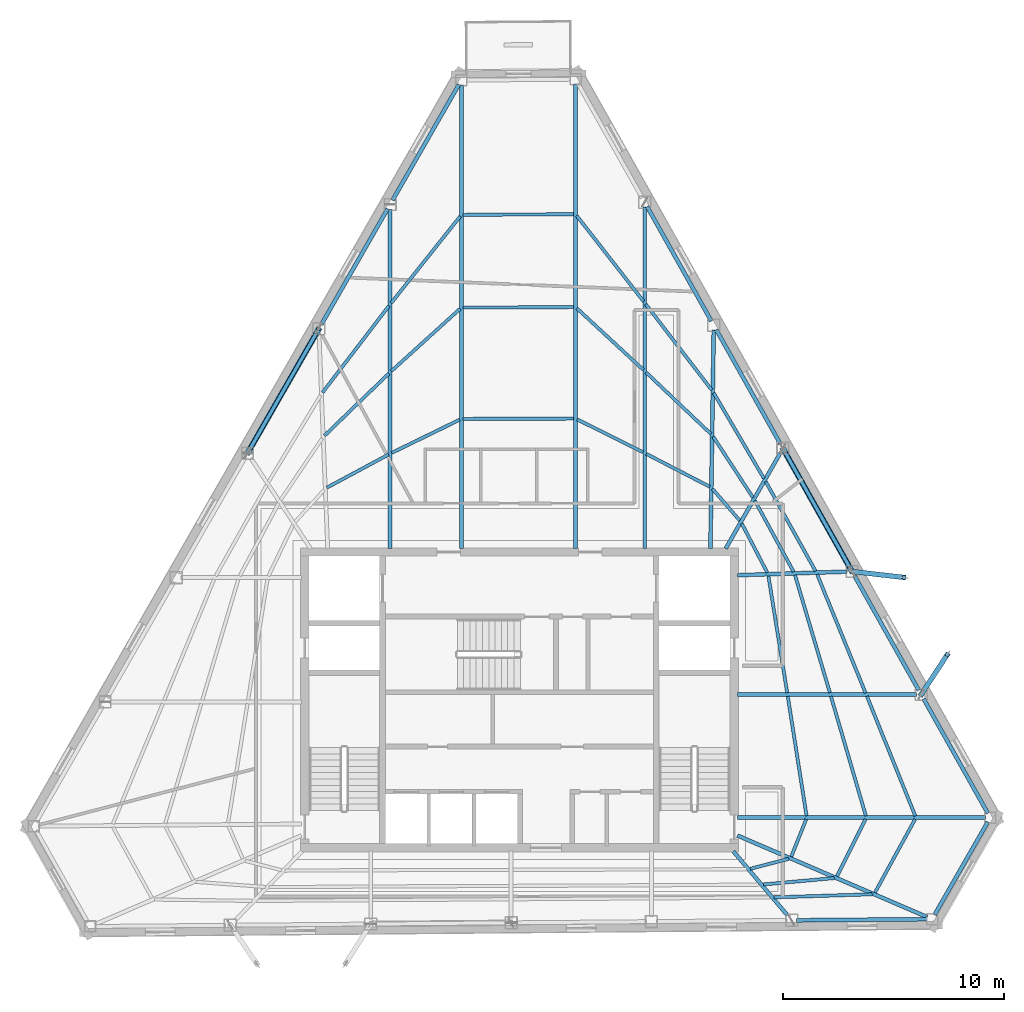
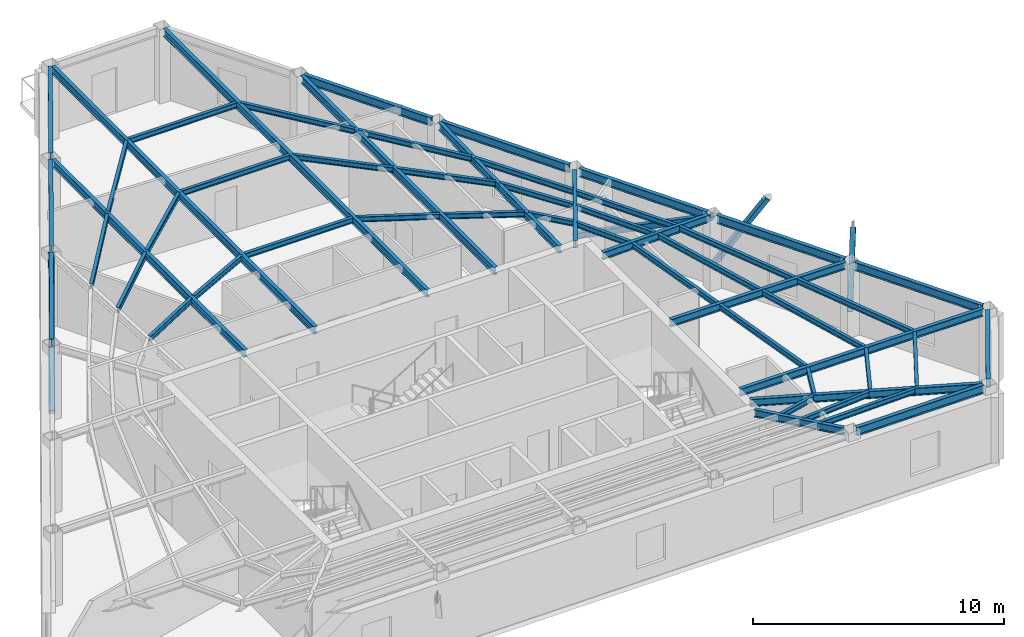
# One storey, part 2 of 11: 54 beams, 4 members.
"""IFC4 building model written with IfcOpenShell, lengths in metres."""

from ifc_helpers import new_model, si_unit, direction, frame, origin, origin_2d, place, context, subcontext, project, spatial, hollow_rectangle, i_section, extrude, material, material_profile, profile_set, type_object, element, save


model = new_model("IFC4")

# Units and contexts
model_context = context("Model", 3, precision=1e-05, world=origin(), true_north=direction((0.0, 1.0)))
body_context = subcontext(model_context, "Body", "Model", "MODEL_VIEW")
ifc_project = project(units=[si_unit("LENGTHUNIT", "METRE"), si_unit("AREAUNIT", "SQUARE_METRE"), si_unit("VOLUMEUNIT", "CUBIC_METRE"), si_unit("PLANEANGLEUNIT", "RADIAN"), si_unit("MASSUNIT", "GRAM", prefix="KILO")], contexts=[model_context])

# Site, building, storey
site_placement = place(None, origin())
site = spatial("IfcSite", under=ifc_project, at=site_placement, CompositionType="ELEMENT")
building_placement = place(site_placement, origin())
building = spatial("IfcBuilding", under=site, at=building_placement, Name="Kavelnor Concourse Tower", CompositionType="ELEMENT")
storey_placement = place(building_placement, frame((0.0, 0.0, 297.25)))
storey = spatial("IfcBuildingStorey", under=building, at=storey_placement, Name="L75", CompositionType="ELEMENT", Elevation=297.25)

# Beams
ifc_material = material(Name="Steel Grade 350", Category="steel")
ifc_material_profile_1 = material_profile(ifc_material, i_section(OverallWidth=0.14599609375, OverallDepth=0.256103515625, WebThickness=0.00634765625, FlangeThickness=0.010986328125, at=origin_2d()), Name="250UB37")
ifc_profile_set_1 = profile_set([ifc_material_profile_1], Name="Steel Grade 350")
beam_type_1 = type_object("IfcBeamType", Name="BM-JOIST-250", PredefinedType="JOIST", material=ifc_profile_set_1)
beam_1_placement = place(storey_placement, frame((48.44189453125, 8.46142578125, 3.48193359375), z_axis=(0.968010305552, 0.250910438892, 0.0), x_axis=(-0.250910438892, 0.968010305552, 0.0)))
element("IfcBeam", 1, at=beam_1_placement, inside=storey, type_object=beam_type_1, Name="L75 Secondary Composite Joist 08-1", PredefinedType="JOIST", context=body_context, shape_type="SweptSolid", body=[
    extrude(i_section(OverallWidth=0.14599609375, OverallDepth=0.256103515625, WebThickness=0.00634765625, FlangeThickness=0.010986328125, at=origin_2d()), origin(), (0.0, 0.0, 1.0), 1.802001953125),
])
beam_2_placement = place(storey_placement, frame((49.031494140625, 7.754150390625, 3.48193359375), z_axis=(0.996001094273, 0.089341033162, 0.0), x_axis=(-0.089341033162, 0.996001094273, 0.0)))
element("IfcBeam", 2, at=beam_2_placement, inside=storey, type_object=beam_type_1, Name="L75 Secondary Composite Joist 08-2", PredefinedType="JOIST", context=body_context, shape_type="SweptSolid", body=[
    extrude(i_section(OverallWidth=0.14599609375, OverallDepth=0.256103515625, WebThickness=0.00634765625, FlangeThickness=0.010986328125, at=origin_2d()), origin(), (0.0, 0.0, 1.0), 3.224609375),
])
beam_3_placement = place(storey_placement, frame((49.521240234375, 7.1708984375, 3.48193359375), z_axis=(0.999510411629, 0.031287969644, 0.0), x_axis=(-0.031287969644, 0.999510411629, 0.0)))
element("IfcBeam", 3, at=beam_3_placement, inside=storey, type_object=beam_type_1, Name="L75 Secondary Composite Joist 08-3", PredefinedType="JOIST", context=body_context, shape_type="SweptSolid", body=[
    extrude(i_section(OverallWidth=0.14599609375, OverallDepth=0.256103515625, WebThickness=0.00634765625, FlangeThickness=0.010986328125, at=origin_2d()), origin(), (0.0, 0.0, 1.0), 4.43994140625),
])
beam_4_placement = place(storey_placement, frame((50.296142578125, 9.01025390625, 3.48193359375), z_axis=(0.37060454133, 0.928790758969, 0.0), x_axis=(-0.928790758969, 0.37060454133, 0.0)))
element("IfcBeam", 4, at=beam_4_placement, inside=storey, type_object=beam_type_1, Name="L75 Secondary Composite Joist 09-1", PredefinedType="JOIST", context=body_context, shape_type="SweptSolid", body=[
    extrude(i_section(OverallWidth=0.14599609375, OverallDepth=0.256103515625, WebThickness=0.00634765625, FlangeThickness=0.010986328125, at=origin_2d()), origin(), (0.0, 0.0, 1.0), 1.82080078125),
])
beam_5_placement = place(storey_placement, frame((52.36181640625, 8.122802734375, 3.48193359375), z_axis=(0.448497937851, 0.893783866348, 0.0), x_axis=(-0.893783866348, 0.448497937851, 0.0)))
element("IfcBeam", 5, at=beam_5_placement, inside=storey, type_object=beam_type_1, Name="L75 Secondary Composite Joist 09-2", PredefinedType="JOIST", context=body_context, shape_type="SweptSolid", body=[
    extrude(i_section(OverallWidth=0.14599609375, OverallDepth=0.256103515625, WebThickness=0.00634765625, FlangeThickness=0.010986328125, at=origin_2d()), origin(), (0.0, 0.0, 1.0), 2.888427734375),
])
beam_6_placement = place(storey_placement, frame((54.080322265625, 7.38427734375, 3.48193359375), z_axis=(0.480148097352, 0.877187439838, 0.0), x_axis=(-0.877187439838, 0.480148097352, 0.0)))
element("IfcBeam", 6, at=beam_6_placement, inside=storey, type_object=beam_type_1, Name="L75 Secondary Composite Joist 09-3", PredefinedType="JOIST", context=body_context, shape_type="SweptSolid", body=[
    extrude(i_section(OverallWidth=0.14599609375, OverallDepth=0.256103515625, WebThickness=0.00634765625, FlangeThickness=0.010986328125, at=origin_2d()), origin(), (0.0, 0.0, 1.0), 3.78662109375),
])
beam_7_placement = place(storey_placement, frame((50.98876953125, 10.858642578125, 3.48193359375), z_axis=(-0.155389638858, 0.987853258402, 0.0), x_axis=(-0.987853258402, -0.155389638858, 0.0)))
element("IfcBeam", 7, at=beam_7_placement, inside=storey, type_object=beam_type_1, Name="L75 Secondary Composite Joist 10-1", PredefinedType="JOIST", context=body_context, shape_type="SweptSolid", body=[
    extrude(i_section(OverallWidth=0.14599609375, OverallDepth=0.256103515625, WebThickness=0.00634765625, FlangeThickness=0.010986328125, at=origin_2d()), origin(), (0.0, 0.0, 1.0), 5.470703125),
])
beam_8_placement = place(storey_placement, frame((53.6708984375, 10.856201171875, 3.48193359375), z_axis=(-0.280324415111, 0.959905319442, 0.0), x_axis=(-0.959905319442, -0.280324415111, 0.0)))
element("IfcBeam", 8, at=beam_8_placement, inside=storey, type_object=beam_type_1, Name="L75 Secondary Composite Joist 10-2", PredefinedType="JOIST", context=body_context, shape_type="SweptSolid", body=[
    extrude(i_section(OverallWidth=0.14599609375, OverallDepth=0.256103515625, WebThickness=0.00634765625, FlangeThickness=0.010986328125, at=origin_2d()), origin(), (0.0, 0.0, 1.0), 5.634765625),
])
beam_9_placement = place(storey_placement, frame((55.9072265625, 10.853515625, 3.48193359375), z_axis=(-0.374926778099, 0.927054427239, 0.0), x_axis=(-0.927054427239, -0.374926778099, 0.0)))
element("IfcBeam", 9, at=beam_9_placement, inside=storey, type_object=beam_type_1, Name="L75 Secondary Composite Joist 10-3", PredefinedType="JOIST", context=body_context, shape_type="SweptSolid", body=[
    extrude(i_section(OverallWidth=0.14599609375, OverallDepth=0.256103515625, WebThickness=0.00634765625, FlangeThickness=0.010986328125, at=origin_2d()), origin(), (0.0, 0.0, 1.0), 5.84033203125),
])
beam_10_placement = place(storey_placement, frame((50.11279296875, 16.4248046875, 3.48193359375), z_axis=(-0.158814772891, 0.987308395544, 0.0), x_axis=(-0.987308395544, -0.158814772891, 0.0)))
element("IfcBeam", 10, at=beam_10_placement, inside=storey, type_object=beam_type_1, Name="L75 Secondary Composite Joist 11-1", PredefinedType="JOIST", context=body_context, shape_type="SweptSolid", body=[
    extrude(i_section(OverallWidth=0.14599609375, OverallDepth=0.256103515625, WebThickness=0.00634765625, FlangeThickness=0.010986328125, at=origin_2d()), origin(), (0.0, 0.0, 1.0), 5.34814453125),
])
beam_11_placement = place(storey_placement, frame((52.044921875, 16.422607421875, 3.48193359375), z_axis=(-0.284410151434, 0.958702699361, 0.0), x_axis=(-0.958702699361, -0.284410151434, 0.0)))
element("IfcBeam", 11, at=beam_11_placement, inside=storey, type_object=beam_type_1, Name="L75 Secondary Composite Joist 11-2", PredefinedType="JOIST", context=body_context, shape_type="SweptSolid", body=[
    extrude(i_section(OverallWidth=0.14599609375, OverallDepth=0.256103515625, WebThickness=0.00634765625, FlangeThickness=0.010986328125, at=origin_2d()), origin(), (0.0, 0.0, 1.0), 5.552978515625),
])
beam_12_placement = place(storey_placement, frame((53.65576171875, 16.419921875, 3.48193359375), z_axis=(-0.378017202684, 0.925798571221, 0.0), x_axis=(-0.925798571221, -0.378017202684, 0.0)))
element("IfcBeam", 12, at=beam_12_placement, inside=storey, type_object=beam_type_1, Name="L75 Secondary Composite Joist 11-3", PredefinedType="JOIST", context=body_context, shape_type="SweptSolid", body=[
    extrude(i_section(OverallWidth=0.14599609375, OverallDepth=0.256103515625, WebThickness=0.00634765625, FlangeThickness=0.010986328125, at=origin_2d()), origin(), (0.0, 0.0, 1.0), 5.791259765625),
])
beam_13_placement = place(storey_placement, frame((49.212646484375, 21.85888671875, 3.48193359375), z_axis=(-0.461598536422, 0.887088942087, 0.0), x_axis=(-0.887088942087, -0.461598536422, 0.0)))
element("IfcBeam", 13, at=beam_13_placement, inside=storey, type_object=beam_type_1, Name="L75 Secondary Composite Joist 12-1", PredefinedType="JOIST", context=body_context, shape_type="SweptSolid", body=[
    extrude(i_section(OverallWidth=0.14599609375, OverallDepth=0.256103515625, WebThickness=0.00634765625, FlangeThickness=0.010986328125, at=origin_2d()), origin(), (0.0, 0.0, 1.0), 2.501708984375),
])
beam_14_placement = place(storey_placement, frame((50.403076171875, 21.89697265625, 3.48193359375), z_axis=(-0.478819437183, 0.877913404942, 0.0), x_axis=(-0.877913404942, -0.478819437183, 0.0)))
element("IfcBeam", 14, at=beam_14_placement, inside=storey, type_object=beam_type_1, Name="L75 Secondary Composite Joist 12-2", PredefinedType="JOIST", context=body_context, shape_type="SweptSolid", body=[
    extrude(i_section(OverallWidth=0.14599609375, OverallDepth=0.256103515625, WebThickness=0.00634765625, FlangeThickness=0.010986328125, at=origin_2d()), origin(), (0.0, 0.0, 1.0), 3.662353515625),
])
beam_15_placement = place(storey_placement, frame((51.3955078125, 21.92919921875, 3.48193359375), z_axis=(-0.486694685221, 0.873572139767, 0.0), x_axis=(-0.873572139767, -0.486694685221, 0.0)))
element("IfcBeam", 15, at=beam_15_placement, inside=storey, type_object=beam_type_1, Name="L75 Secondary Composite Joist 12-3", PredefinedType="JOIST", context=body_context, shape_type="SweptSolid", body=[
    extrude(i_section(OverallWidth=0.14599609375, OverallDepth=0.256103515625, WebThickness=0.00634765625, FlangeThickness=0.010986328125, at=origin_2d()), origin(), (0.0, 0.0, 1.0), 4.630126953125),
])
beam_16_placement = place(storey_placement, frame((47.966552734375, 24.213134765625, 3.48193359375), z_axis=(-0.652195282217, 0.758050996869, 0.0), x_axis=(-0.758050996869, -0.652195282217, 0.0)))
element("IfcBeam", 16, at=beam_16_placement, inside=storey, type_object=beam_type_1, Name="L75 Secondary Composite Joist 13-1", PredefinedType="JOIST", context=body_context, shape_type="SweptSolid", body=[
    extrude(i_section(OverallWidth=0.14599609375, OverallDepth=0.256103515625, WebThickness=0.00634765625, FlangeThickness=0.010986328125, at=origin_2d()), origin(), (0.0, 0.0, 1.0), 1.888916015625),
])
beam_17_placement = place(storey_placement, frame((48.565185546875, 25.2529296875, 3.48193359375), z_axis=(-0.54729128744, 0.836942200329, 0.0), x_axis=(-0.836942200329, -0.54729128744, 0.0)))
element("IfcBeam", 17, at=beam_17_placement, inside=storey, type_object=beam_type_1, Name="L75 Secondary Composite Joist 13-2", PredefinedType="JOIST", context=body_context, shape_type="SweptSolid", body=[
    extrude(i_section(OverallWidth=0.14599609375, OverallDepth=0.256103515625, WebThickness=0.00634765625, FlangeThickness=0.010986328125, at=origin_2d()), origin(), (0.0, 0.0, 1.0), 3.294921875),
])
beam_18_placement = place(storey_placement, frame((49.060546875, 26.1162109375, 3.48193359375), z_axis=(-0.506342216052, 0.86233262738, 0.0), x_axis=(-0.86233262738, -0.506342216052, 0.0)))
element("IfcBeam", 18, at=beam_18_placement, inside=storey, type_object=beam_type_1, Name="L75 Secondary Composite Joist 13-3", PredefinedType="JOIST", context=body_context, shape_type="SweptSolid", body=[
    extrude(i_section(OverallWidth=0.14599609375, OverallDepth=0.256103515625, WebThickness=0.00634765625, FlangeThickness=0.010986328125, at=origin_2d()), origin(), (0.0, 0.0, 1.0), 4.486572265625),
])
beam_19_placement = place(storey_placement, frame((46.608154296875, 25.744873046875, 3.48193359375), z_axis=(-0.888345237581, 0.459176152328, 0.0), x_axis=(-0.459176152328, -0.888345237581, 0.0)))
element("IfcBeam", 19, at=beam_19_placement, inside=storey, type_object=beam_type_1, Name="L75 Secondary Composite Joist 14-1", PredefinedType="JOIST", context=body_context, shape_type="SweptSolid", body=[
    extrude(i_section(OverallWidth=0.14599609375, OverallDepth=0.256103515625, WebThickness=0.00634765625, FlangeThickness=0.010986328125, at=origin_2d()), origin(), (0.0, 0.0, 1.0), 3.22998046875),
])
beam_20_placement = place(storey_placement, frame((46.65771484375, 28.135498046875, 3.48193359375), z_axis=(-0.725496953273, 0.688225377905, 0.0), x_axis=(-0.688225377905, -0.725496953273, 0.0)))
element("IfcBeam", 20, at=beam_20_placement, inside=storey, type_object=beam_type_1, Name="L75 Secondary Composite Joist 14-2", PredefinedType="JOIST", context=body_context, shape_type="SweptSolid", body=[
    extrude(i_section(OverallWidth=0.14599609375, OverallDepth=0.256103515625, WebThickness=0.00634765625, FlangeThickness=0.010986328125, at=origin_2d()), origin(), (0.0, 0.0, 1.0), 4.04150390625),
])
beam_21_placement = place(storey_placement, frame((46.697265625, 30.12060546875, 3.48193359375), z_axis=(-0.609500877661, 0.792785393489, 0.0), x_axis=(-0.792785393489, -0.609500877661, 0.0)))
element("IfcBeam", 21, at=beam_21_placement, inside=storey, type_object=beam_type_1, Name="L75 Secondary Composite Joist 14-3", PredefinedType="JOIST", context=body_context, shape_type="SweptSolid", body=[
    extrude(i_section(OverallWidth=0.14599609375, OverallDepth=0.256103515625, WebThickness=0.00634765625, FlangeThickness=0.010986328125, at=origin_2d()), origin(), (0.0, 0.0, 1.0), 4.89111328125),
])
beam_22_placement = place(storey_placement, frame((43.592529296875, 27.302490234375, 3.48193359375), z_axis=(-0.894969160359, 0.446128010784, 0.0), x_axis=(-0.446128010784, -0.894969160359, 0.0)))
element("IfcBeam", 22, at=beam_22_placement, inside=storey, type_object=beam_type_1, Name="L75 Secondary Composite Joist 15-1", PredefinedType="JOIST", context=body_context, shape_type="SweptSolid", body=[
    extrude(i_section(OverallWidth=0.14599609375, OverallDepth=0.256103515625, WebThickness=0.00634765625, FlangeThickness=0.010986328125, at=origin_2d()), origin(), (0.0, 0.0, 1.0), 3.329345703125),
])
beam_23_placement = place(storey_placement, frame((43.605712890625, 31.029296875, 3.48193359375), z_axis=(-0.733788181998, 0.679378321674, 0.0), x_axis=(-0.679378321674, -0.733788181998, 0.0)))
element("IfcBeam", 23, at=beam_23_placement, inside=storey, type_object=beam_type_1, Name="L75 Secondary Composite Joist 15-2", PredefinedType="JOIST", context=body_context, shape_type="SweptSolid", body=[
    extrude(i_section(OverallWidth=0.14599609375, OverallDepth=0.256103515625, WebThickness=0.00634765625, FlangeThickness=0.010986328125, at=origin_2d()), origin(), (0.0, 0.0, 1.0), 4.0966796875),
])
beam_24_placement = place(storey_placement, frame((43.615478515625, 34.128173828125, 3.48193359375), z_axis=(-0.61509104447, 0.788456090732, 0.0), x_axis=(-0.788456090732, -0.61509104447, 0.0)))
element("IfcBeam", 24, at=beam_24_placement, inside=storey, type_object=beam_type_1, Name="L75 Secondary Composite Joist 15-3", PredefinedType="JOIST", context=body_context, shape_type="SweptSolid", body=[
    extrude(i_section(OverallWidth=0.14599609375, OverallDepth=0.256103515625, WebThickness=0.00634765625, FlangeThickness=0.010986328125, at=origin_2d()), origin(), (0.0, 0.0, 1.0), 4.9189453125),
])
for number, where, z_axis, x_axis, name in (
    (25, (40.45751953125, 28.82421875, 3.48193359375), (-0.999997021236, -0.002440803078, 0.0), (0.002440803078, -0.999997021236, 0.0), "L75 Secondary Composite Joist 16-1"),
    (26, (40.45751953125, 33.86767578125, 3.48193359375), (-0.999989915203, -0.00449104575, 0.0), (0.00449104575, -0.999989915203, 0.0), "L75 Secondary Composite Joist 16-2"),
    (27, (40.45751953125, 38.070556640625, 3.48193359375), (-0.999980478855, -0.006248352516, 0.0), (0.006248352516, -0.999980478855, 0.0), "L75 Secondary Composite Joist 16-3"),
):
    element("IfcBeam", number, at=place(storey_placement, frame(where, z_axis=z_axis, x_axis=x_axis)), inside=storey, type_object=beam_type_1, Name=name, PredefinedType="JOIST", context=body_context, shape_type="SweptSolid", body=[
        extrude(i_section(OverallWidth=0.14599609375, OverallDepth=0.256103515625, WebThickness=0.00634765625, FlangeThickness=0.010986328125, at=origin_2d()), origin(), (0.0, 0.0, 1.0), 5.001220703125),
    ])
beam_25_placement = place(storey_placement, frame((35.30078125, 28.77587890625, 3.48193359375), z_axis=(-0.89852500513, -0.438922333855, 0.0), x_axis=(0.438922333855, -0.89852500513, 0.0)))
element("IfcBeam", 28, at=beam_25_placement, inside=storey, type_object=beam_type_1, Name="L75 Secondary Composite Joist 17-1", PredefinedType="JOIST", context=body_context, shape_type="SweptSolid", body=[
    extrude(i_section(OverallWidth=0.14599609375, OverallDepth=0.256103515625, WebThickness=0.00634765625, FlangeThickness=0.010986328125, at=origin_2d()), origin(), (0.0, 0.0, 1.0), 3.423583984375),
])
beam_26_placement = place(storey_placement, frame((35.313720703125, 33.78955078125, 3.48193359375), z_axis=(-0.740659671965, -0.671880383941, 0.0), x_axis=(0.671880383941, -0.740659671965, 0.0)))
element("IfcBeam", 29, at=beam_26_placement, inside=storey, type_object=beam_type_1, Name="L75 Secondary Composite Joist 17-2", PredefinedType="JOIST", context=body_context, shape_type="SweptSolid", body=[
    extrude(i_section(OverallWidth=0.14599609375, OverallDepth=0.256103515625, WebThickness=0.00634765625, FlangeThickness=0.010986328125, at=origin_2d()), origin(), (0.0, 0.0, 1.0), 4.1884765625),
])
beam_27_placement = place(storey_placement, frame((35.3232421875, 37.974609375, 3.48193359375), z_axis=(-0.622821882909, -0.782363663631, 0.0), x_axis=(0.782363663631, -0.622821882909, 0.0)))
element("IfcBeam", 30, at=beam_27_placement, inside=storey, type_object=beam_type_1, Name="L75 Secondary Composite Joist 17-3", PredefinedType="JOIST", context=body_context, shape_type="SweptSolid", body=[
    extrude(i_section(OverallWidth=0.14599609375, OverallDepth=0.256103515625, WebThickness=0.00634765625, FlangeThickness=0.010986328125, at=origin_2d()), origin(), (0.0, 0.0, 1.0), 5.01171875),
])
beam_28_placement = place(storey_placement, frame((32.07861328125, 27.1982421875, 3.48193359375), z_axis=(-0.88093902327, -0.473229793315, 0.0), x_axis=(0.473229793315, -0.88093902327, 0.0)))
element("IfcBeam", 31, at=beam_28_placement, inside=storey, type_object=beam_type_1, Name="L75 Secondary Composite Joist 18-1", PredefinedType="JOIST", context=body_context, shape_type="SweptSolid", body=[
    extrude(i_section(OverallWidth=0.14599609375, OverallDepth=0.256103515625, WebThickness=0.00634765625, FlangeThickness=0.010986328125, at=origin_2d()), origin(), (0.0, 0.0, 1.0), 3.16357421875),
])
beam_29_placement = place(storey_placement, frame((32.091796875, 30.86328125, 3.48193359375), z_axis=(-0.719018543531, -0.694990887752, 0.0), x_axis=(0.694990887752, -0.719018543531, 0.0)))
element("IfcBeam", 32, at=beam_29_placement, inside=storey, type_object=beam_type_1, Name="L75 Secondary Composite Joist 18-2", PredefinedType="JOIST", context=body_context, shape_type="SweptSolid", body=[
    extrude(i_section(OverallWidth=0.14599609375, OverallDepth=0.256103515625, WebThickness=0.00634765625, FlangeThickness=0.010986328125, at=origin_2d()), origin(), (0.0, 0.0, 1.0), 4.0439453125),
])
beam_30_placement = place(storey_placement, frame((32.100830078125, 33.924560546875, 3.48193359375), z_axis=(-0.608422202808, -0.793613522522, 0.0), x_axis=(0.793613522522, -0.608422202808, 0.0)))
element("IfcBeam", 33, at=beam_30_placement, inside=storey, type_object=beam_type_1, Name="L75 Secondary Composite Joist 18-3", PredefinedType="JOIST", context=body_context, shape_type="SweptSolid", body=[
    extrude(i_section(OverallWidth=0.14599609375, OverallDepth=0.256103515625, WebThickness=0.00634765625, FlangeThickness=0.010986328125, at=origin_2d()), origin(), (0.0, 0.0, 1.0), 4.9384765625),
])
ifc_material_profile_2 = material_profile(ifc_material, i_section(OverallWidth=0.172119140625, OverallDepth=0.35888671875, WebThickness=0.008056640625, FlangeThickness=0.012939453125, at=origin_2d()), Name="360UB56")
ifc_profile_set_2 = profile_set([ifc_material_profile_2], Name="Steel Grade 350")
beam_type_2 = type_object("IfcBeamType", Name="BM-PRIMARY-360", PredefinedType="BEAM", material=ifc_profile_set_2)
beam_31_placement = place(storey_placement, frame((35.37451171875, 22.93994140625, 3.430419921875), z_axis=(0.0, 1.0, 0.0), x_axis=(-1.0, 0.0, 0.0)))
element("IfcBeam", 34, at=beam_31_placement, inside=storey, type_object=beam_type_2, Name="L75 Primary Floor Girder F0-B0", PredefinedType="BEAM", context=body_context, shape_type="SweptSolid", body=[
    extrude(i_section(OverallWidth=0.172119140625, OverallDepth=0.35888671875, WebThickness=0.008056640625, FlangeThickness=0.012939453125, at=origin_2d()), origin(), (0.0, 0.0, 1.0), 20.970703125),
])
beam_32_placement = place(storey_placement, frame((32.15087890625, 22.93994140625, 3.430419921875), z_axis=(0.0, 1.0, 0.0), x_axis=(-1.0, 0.0, 0.0)))
element("IfcBeam", 35, at=beam_32_placement, inside=storey, type_object=beam_type_2, Name="L75 Primary Floor Girder F0-B1", PredefinedType="BEAM", context=body_context, shape_type="SweptSolid", body=[
    extrude(i_section(OverallWidth=0.172119140625, OverallDepth=0.35888671875, WebThickness=0.008056640625, FlangeThickness=0.012939453125, at=origin_2d()), origin(), (0.0, 0.0, 1.0), 15.3466796875),
])
beam_33_placement = place(storey_placement, frame((47.677490234375, 9.25048828125, 3.430419921875), z_axis=(0.645985577711, -0.763349614128, 0.0), x_axis=(0.763349614128, 0.645985577711, 0.0)))
element("IfcBeam", 36, at=beam_33_placement, inside=storey, type_object=beam_type_2, Name="L75 Primary Floor Girder F1-B5", PredefinedType="BEAM", context=body_context, shape_type="SweptSolid", body=[
    extrude(i_section(OverallWidth=0.172119140625, OverallDepth=0.35888671875, WebThickness=0.008056640625, FlangeThickness=0.012939453125, at=origin_2d()), origin(), (0.0, 0.0, 1.0), 3.7880859375),
])
beam_34_placement = place(storey_placement, frame((47.86328125, 9.966064453125, 3.430419921875), z_axis=(0.918820166395, -0.39467645208, 0.0), x_axis=(0.39467645208, 0.918820166395, 0.0)))
element("IfcBeam", 37, at=beam_34_placement, inside=storey, type_object=beam_type_2, Name="L75 Primary Floor Girder F1-B6", PredefinedType="BEAM", context=body_context, shape_type="SweptSolid", body=[
    extrude(i_section(OverallWidth=0.172119140625, OverallDepth=0.35888671875, WebThickness=0.008056640625, FlangeThickness=0.012939453125, at=origin_2d()), origin(), (0.0, 0.0, 1.0), 9.338134765625),
])
beam_35_placement = place(storey_placement, frame((47.860107421875, 10.777587890625, 3.430419921875), z_axis=(1.0, 0.0, 0.0), x_axis=(0.0, 1.0, 0.0)))
element("IfcBeam", 38, at=beam_35_placement, inside=storey, type_object=beam_type_2, Name="L75 Primary Floor Girder F2-B0", PredefinedType="BEAM", context=body_context, shape_type="SweptSolid", body=[
    extrude(i_section(OverallWidth=0.172119140625, OverallDepth=0.35888671875, WebThickness=0.008056640625, FlangeThickness=0.012939453125, at=origin_2d()), origin(), (0.0, 0.0, 1.0), 11.21923828125),
])
beam_36_placement = place(storey_placement, frame((47.860107421875, 16.343994140625, 3.430419921875), z_axis=(1.0, 0.0, 0.0), x_axis=(0.0, 1.0, 0.0)))
element("IfcBeam", 39, at=beam_36_placement, inside=storey, type_object=beam_type_2, Name="L75 Primary Floor Girder F2-B1", PredefinedType="BEAM", context=body_context, shape_type="SweptSolid", body=[
    extrude(i_section(OverallWidth=0.172119140625, OverallDepth=0.35888671875, WebThickness=0.008056640625, FlangeThickness=0.012939453125, at=origin_2d()), origin(), (0.0, 0.0, 1.0), 8.092529296875),
])
beam_37_placement = place(storey_placement, frame((47.860107421875, 21.740478515625, 3.430419921875), z_axis=(0.999464366757, 0.032725824398, 0.0), x_axis=(-0.032725824398, 0.999464366757, 0.0)))
element("IfcBeam", 40, at=beam_37_placement, inside=storey, type_object=beam_type_2, Name="L75 Primary Floor Girder F2-B2", PredefinedType="BEAM", context=body_context, shape_type="SweptSolid", body=[
    extrude(i_section(OverallWidth=0.172119140625, OverallDepth=0.35888671875, WebThickness=0.008056640625, FlangeThickness=0.012939453125, at=origin_2d()), origin(), (0.0, 0.0, 1.0), 4.968505859375),
])
beam_38_placement = place(storey_placement, frame((47.331298828125, 22.9453125, 3.430419921875), z_axis=(0.495979867445, 0.868334020461, 0.0), x_axis=(-0.868334020461, 0.495979867445, 0.0)))
element("IfcBeam", 41, at=beam_38_placement, inside=storey, type_object=beam_type_2, Name="L75 Primary Floor Girder F2-B3", PredefinedType="BEAM", context=body_context, shape_type="SweptSolid", body=[
    extrude(i_section(OverallWidth=0.172119140625, OverallDepth=0.35888671875, WebThickness=0.008056640625, FlangeThickness=0.012939453125, at=origin_2d()), origin(), (0.0, 0.0, 1.0), 4.958740234375),
])
beam_39_placement = place(storey_placement, frame((46.638916015625, 22.93994140625, 3.430419921875), z_axis=(0.015215253888, 0.999884241325, 0.0), x_axis=(-0.999884241325, 0.015215253888, 0.0)))
element("IfcBeam", 42, at=beam_39_placement, inside=storey, type_object=beam_type_2, Name="L75 Primary Floor Girder F2-B4", PredefinedType="BEAM", context=body_context, shape_type="SweptSolid", body=[
    extrude(i_section(OverallWidth=0.172119140625, OverallDepth=0.35888671875, WebThickness=0.008056640625, FlangeThickness=0.012939453125, at=origin_2d()), origin(), (0.0, 0.0, 1.0), 9.88427734375),
])
beam_40_placement = place(storey_placement, frame((43.666015625, 22.93994140625, 3.430419921875), z_axis=(0.0, 1.0, 0.0), x_axis=(-1.0, 0.0, 0.0)))
element("IfcBeam", 43, at=beam_40_placement, inside=storey, type_object=beam_type_2, Name="L75 Primary Floor Girder F2-B5", PredefinedType="BEAM", context=body_context, shape_type="SweptSolid", body=[
    extrude(i_section(OverallWidth=0.172119140625, OverallDepth=0.35888671875, WebThickness=0.008056640625, FlangeThickness=0.012939453125, at=origin_2d()), origin(), (0.0, 0.0, 1.0), 15.44921875),
])
beam_41_placement = place(storey_placement, frame((40.539306640625, 22.93994140625, 3.430419921875), z_axis=(0.0, 1.0, 0.0), x_axis=(-1.0, 0.0, 0.0)))
element("IfcBeam", 44, at=beam_41_placement, inside=storey, type_object=beam_type_2, Name="L75 Primary Floor Girder F2-B6", PredefinedType="BEAM", context=body_context, shape_type="SweptSolid", body=[
    extrude(i_section(OverallWidth=0.172119140625, OverallDepth=0.35888671875, WebThickness=0.008056640625, FlangeThickness=0.012939453125, at=origin_2d()), origin(), (0.0, 0.0, 1.0), 21.015625),
])
ifc_material_profile_3 = material_profile(ifc_material, i_section(OverallWidth=0.177978515625, OverallDepth=0.406005859375, WebThickness=0.0078125, FlangeThickness=0.0126953125, at=origin_2d()), Name="410UB59")
ifc_profile_set_3 = profile_set([ifc_material_profile_3], Name="Steel Grade 350")
beam_type_3 = type_object("IfcBeamType", Name="BM-SPANDREL-Z4", PredefinedType="SPANDREL", material=ifc_profile_set_3)
beam_42_placement = place(storey_placement, frame((35.262451171875, 43.935302734375, 3.406982421875), z_axis=(-0.497293540646, -0.867582350231, 0.0), x_axis=(0.867582350231, -0.497293540646, 0.0)))
element("IfcBeam", 45, at=beam_42_placement, inside=storey, type_object=beam_type_3, Name="L75 Perimeter Tube Spandrel Beam F0-B0", PredefinedType="SPANDREL", context=body_context, shape_type="SweptSolid", body=[
    extrude(i_section(OverallWidth=0.177978515625, OverallDepth=0.406005859375, WebThickness=0.0078125, FlangeThickness=0.0126953125, at=origin_2d()), origin(), (0.0, 0.0, 1.0), 6.0322265625),
])
beam_43_placement = place(storey_placement, frame((32.038818359375, 38.3115234375, 3.406982421875), z_axis=(-0.497276079299, -0.867592358748, 0.0), x_axis=(0.867592358748, -0.497276079299, 0.0)))
element("IfcBeam", 46, at=beam_43_placement, inside=storey, type_object=beam_type_3, Name="L75 Perimeter Tube Spandrel Beam F0-B1", PredefinedType="SPANDREL", context=body_context, shape_type="SweptSolid", body=[
    extrude(i_section(OverallWidth=0.177978515625, OverallDepth=0.406005859375, WebThickness=0.0078125, FlangeThickness=0.0126953125, at=origin_2d()), origin(), (0.0, 0.0, 1.0), 6.032470703125),
])
beam_44_placement = place(storey_placement, frame((28.815185546875, 32.6875, 3.406982421875), z_axis=(-0.497293540646, -0.867582350231, 0.0), x_axis=(0.867582350231, -0.497293540646, 0.0)))
element("IfcBeam", 47, at=beam_44_placement, inside=storey, type_object=beam_type_3, Name="L75 Perimeter Tube Spandrel Beam F0-B2", PredefinedType="SPANDREL", context=body_context, shape_type="SweptSolid", body=[
    extrude(i_section(OverallWidth=0.177978515625, OverallDepth=0.406005859375, WebThickness=0.0078125, FlangeThickness=0.0126953125, at=origin_2d()), origin(), (0.0, 0.0, 1.0), 6.0322265625),
])
beam_45_placement = place(storey_placement, frame((50.543701171875, 6.13134765625, 3.406982421875), z_axis=(0.999962219994, 0.008692444168, 0.0), x_axis=(-0.008692444168, 0.999962219994, 0.0)))
element("IfcBeam", 48, at=beam_45_placement, inside=storey, type_object=beam_type_3, Name="L75 Perimeter Tube Spandrel Beam F1-B5", PredefinedType="SPANDREL", context=body_context, shape_type="SweptSolid", body=[
    extrude(i_section(OverallWidth=0.177978515625, OverallDepth=0.406005859375, WebThickness=0.0078125, FlangeThickness=0.0126953125, at=origin_2d()), origin(), (0.0, 0.0, 1.0), 5.898193359375),
])
for number, where, z_axis, x_axis, name in (
    (49, (59.189208984375, 10.973876953125, 3.406982421875), (-0.489745484223, 0.871865448727, 0.0), (-0.871865448727, -0.489745484223, 0.0), "L75 Perimeter Tube Spandrel Beam F2-B0"),
    (50, (56.0625, 16.5400390625, 3.406982421875), (-0.48972791776, 0.871875315952, 0.0), (-0.871875315952, -0.48972791776, 0.0), "L75 Perimeter Tube Spandrel Beam F2-B1"),
    (51, (52.935791015625, 22.1064453125, 3.406982421875), (-0.489745484223, 0.871865448727, 0.0), (-0.871865448727, -0.489745484223, 0.0), "L75 Perimeter Tube Spandrel Beam F2-B2"),
    (52, (49.80908203125, 27.672607421875, 3.406982421875), (-0.48972791776, 0.871875315952, 0.0), (-0.871875315952, -0.48972791776, 0.0), "L75 Perimeter Tube Spandrel Beam F2-B3"),
):
    element("IfcBeam", number, at=place(storey_placement, frame(where, z_axis=z_axis, x_axis=x_axis)), inside=storey, type_object=beam_type_3, Name=name, PredefinedType="SPANDREL", context=body_context, shape_type="SweptSolid", body=[
        extrude(i_section(OverallWidth=0.177978515625, OverallDepth=0.406005859375, WebThickness=0.0078125, FlangeThickness=0.0126953125, at=origin_2d()), origin(), (0.0, 0.0, 1.0), 5.934326171875),
    ])
beam_46_placement = place(storey_placement, frame((46.6826171875, 33.239013671875, 3.406982421875), z_axis=(-0.489759189899, 0.871857749813, 0.0), x_axis=(-0.871857749813, -0.489759189899, 0.0)))
element("IfcBeam", 53, at=beam_46_placement, inside=storey, type_object=beam_type_3, Name="L75 Perimeter Tube Spandrel Beam F2-B4", PredefinedType="SPANDREL", context=body_context, shape_type="SweptSolid", body=[
    extrude(i_section(OverallWidth=0.177978515625, OverallDepth=0.406005859375, WebThickness=0.0078125, FlangeThickness=0.0126953125, at=origin_2d()), origin(), (0.0, 0.0, 1.0), 5.9345703125),
])
beam_47_placement = place(storey_placement, frame((56.778564453125, 6.379638671875, 3.406982421875), z_axis=(0.497272847991, 0.867594210821, 0.0), x_axis=(-0.867594210821, 0.497272847991, 0.0)))
element("IfcBeam", 54, at=beam_47_placement, inside=storey, type_object=beam_type_3, Name="L75 Chamfer Facet Spandrel Beam C2", PredefinedType="SPANDREL", context=body_context, shape_type="SweptSolid", body=[
    extrude(i_section(OverallWidth=0.177978515625, OverallDepth=0.406005859375, WebThickness=0.0078125, FlangeThickness=0.0126953125, at=origin_2d()), origin(), (0.0, 0.0, 1.0), 4.84423828125),
])

# Members
ifc_material_profile_4 = material_profile(ifc_material, hollow_rectangle(XDim=0.219970703125, YDim=0.219970703125, WallThickness=0.013916015625, at=origin_2d()), Name="SHS 220x220x14")
ifc_profile_set_4 = profile_set([ifc_material_profile_4], Name="Steel Grade 350")
member_type_1 = type_object("IfcMemberType", Name="MBR-BALC-STRUT-220", PredefinedType="STRUT", material=ifc_profile_set_4)
member_1_placement = place(storey_placement, frame((56.172607421875, 16.343994140625, 1.050048828125), z_axis=(0.349971581642, 0.534045669925, 0.769620110494), x_axis=(-0.836403983907, 0.548113469735, 0.0)))
element("IfcMember", 55, at=member_1_placement, inside=storey, type_object=member_type_1, Name="L75 Tree Balcony Raking Knee Strut 2-A", PredefinedType="STRUT", context=body_context, shape_type="SweptSolid", body=[
    extrude(hollow_rectangle(XDim=0.219970703125, YDim=0.219970703125, WallThickness=0.013916015625, at=origin_2d()), origin(), (0.0, 0.0, 1.0), 3.384765625),
])
member_2_placement = place(storey_placement, frame((53.0458984375, 21.91015625, 1.050048828125), z_axis=(0.668407391432, -0.076755911028, 0.739824363753), x_axis=(0.114084282143, 0.993471074852, 0.0)))
element("IfcMember", 56, at=member_2_placement, inside=storey, type_object=member_type_1, Name="L75 Tree Balcony Raking Knee Strut 2-B", PredefinedType="STRUT", context=body_context, shape_type="SweptSolid", body=[
    extrude(hollow_rectangle(XDim=0.219970703125, YDim=0.219970703125, WallThickness=0.013916015625, at=origin_2d()), origin(), (0.0, 0.0, 1.0), 3.52099609375),
])
ifc_material_profile_5 = material_profile(ifc_material, hollow_rectangle(XDim=0.25, YDim=0.25, WallThickness=0.01611328125, at=origin_2d()), Name="SHS 250x250x16")
ifc_profile_set_5 = profile_set([ifc_material_profile_5], Name="Steel Grade 350")
member_type_2 = type_object("IfcMemberType", Name="MBR-TUBE-DIAG-Z4", PredefinedType="BRACE", material=ifc_profile_set_5)
member_3_placement = place(storey_placement, frame((25.70361328125, 27.2587890625, 0.219970703125), z_axis=(0.446245104433, 0.778588368229, 0.441209088334), x_axis=(-0.867600409217, 0.497262033465, 0.0)))
element("IfcMember", 57, at=member_3_placement, inside=storey, type_object=member_type_2, Name="L75 Framed-Tube Bracing Diagonal F0-B2", PredefinedType="BRACE", context=body_context, shape_type="SweptSolid", body=[
    extrude(hollow_rectangle(XDim=0.25, YDim=0.25, WallThickness=0.01611328125, at=origin_2d()), origin(), (0.0, 0.0, 1.0), 7.223388671875),
])
member_4_placement = place(storey_placement, frame((49.91943359375, 27.4765625, 0.219970703125), z_axis=(0.438150594617, -0.780090079436, 0.446635784954), x_axis=(0.87188582616, 0.489709205693, 0.0)))
element("IfcMember", 58, at=member_4_placement, inside=storey, type_object=member_type_2, Name="L75 Framed-Tube Bracing Diagonal F2-B2", PredefinedType="BRACE", context=body_context, shape_type="SweptSolid", body=[
    extrude(hollow_rectangle(XDim=0.25, YDim=0.25, WallThickness=0.01611328125, at=origin_2d()), origin(), (0.0, 0.0, 1.0), 7.135498046875),
])

save(model, "model.ifc")
